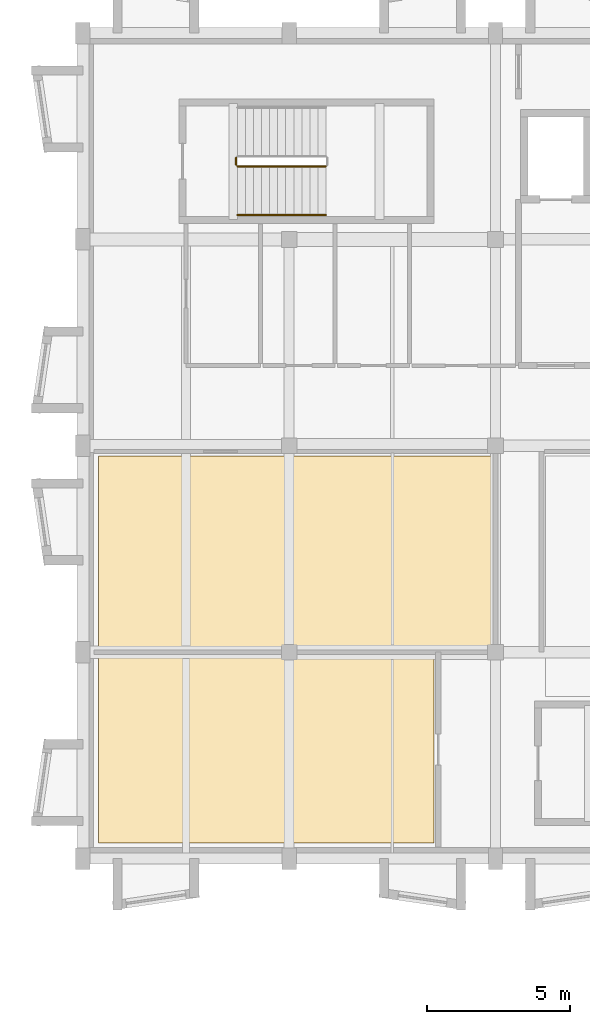
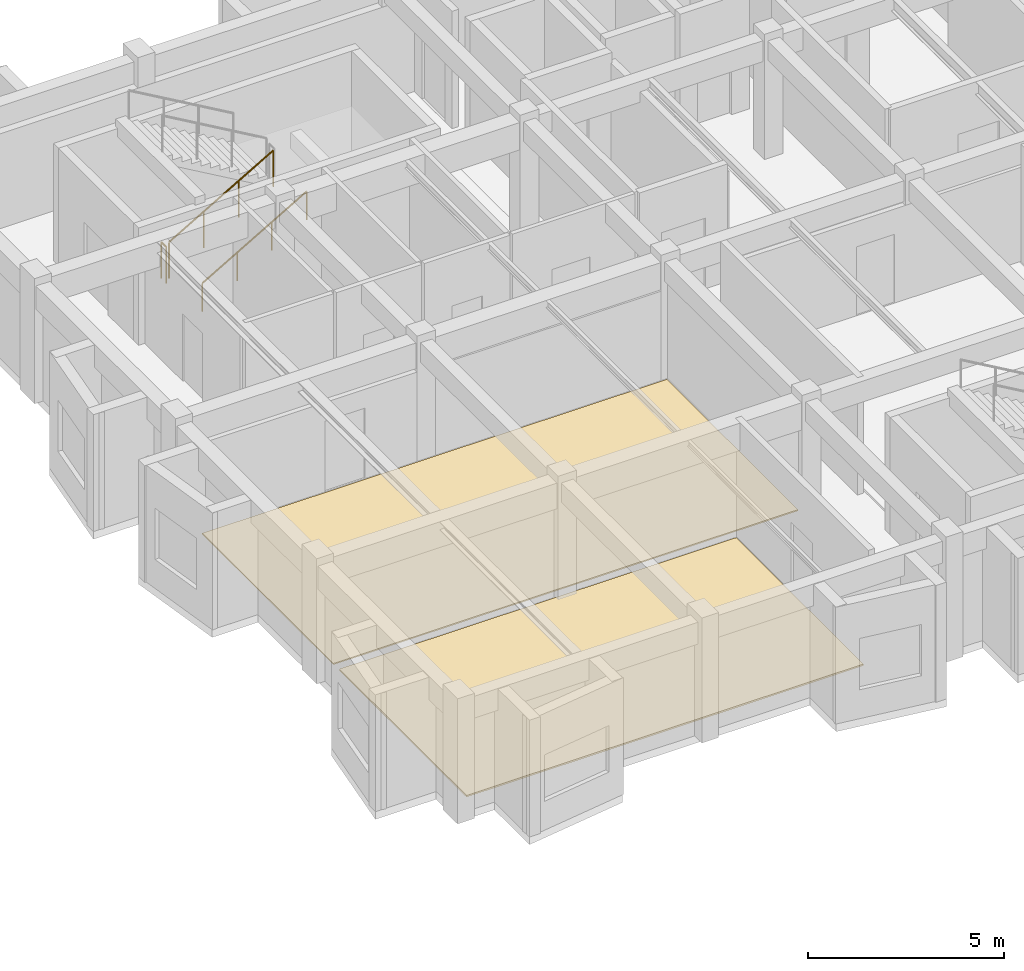
# One storey, part 10 of 12: 3 railings, 2 coverings.
"""IFC4 building model written with IfcOpenShell, lengths in metres."""

from ifc_helpers import new_model, si_unit, direction, frame, origin, origin_2d, place, context, subcontext, project, spatial, polyline, circle, outline, extrude, material, layer, layer_set, type_object, element, save


model = new_model("IFC4")

# Units and contexts
model_context = context("Model", 3, precision=1e-05, world=origin(), true_north=direction((0.0, 1.0)))
body_context = subcontext(model_context, "Body", "Model", "MODEL_VIEW")
ifc_project = project(units=[si_unit("LENGTHUNIT", "METRE"), si_unit("AREAUNIT", "SQUARE_METRE"), si_unit("VOLUMEUNIT", "CUBIC_METRE"), si_unit("PLANEANGLEUNIT", "RADIAN"), si_unit("MASSUNIT", "GRAM", prefix="KILO")], contexts=[model_context])

# Site, building, storey
site_placement = place(None, origin())
site = spatial("IfcSite", under=ifc_project, at=site_placement, CompositionType="ELEMENT")
building_placement = place(site_placement, origin())
building = spatial("IfcBuilding", under=site, at=building_placement, Name="Bramveld Media Centre", CompositionType="ELEMENT")
storey_placement = place(building_placement, frame((0.0, 0.0, 21.89990234375)))
storey = spatial("IfcBuildingStorey", under=building, at=storey_placement, Name="L05", CompositionType="ELEMENT", Elevation=21.89990234375)

# Coverings
ifc_material_1 = material(Name="Honed Belgian bluestone (petit granit) public concourse flooring", Category="masonry")
ifc_layer_1 = layer(ifc_material_1, 0.050048828125)
ifc_layer_set_1 = layer_set([ifc_layer_1], Name="Honed Belgian bluestone (petit granit) public concourse flooring")
covering_type_1 = type_object("IfcCoveringType", Name="COV-FLOOR-02", PredefinedType="FLOORING", material=ifc_layer_set_1)
covering_1_placement = place(storey_placement, origin())
element("IfcCovering", 1, at=covering_1_placement, inside=storey, type_object=covering_type_1, Name="International Cinema Subtitling Studio finish flooring", PredefinedType="FLOORING", context=body_context, shape_type="SweptSolid", body=[
    extrude(outline(polyline([(131.75, 83.75), (143.449951171875, 83.75), (143.449951171875, 90.25), (131.75, 90.25), (131.75, 83.75)])), origin(), (0.0, 0.0, 1.0), 0.050048828125),
])
ifc_material_2 = material(Name="Anti-static acoustic linoleum editing & vault flooring")
ifc_layer_2 = layer(ifc_material_2, 0.0400390625)
ifc_layer_set_2 = layer_set([ifc_layer_2], Name="Anti-static acoustic linoleum editing & vault flooring")
covering_type_2 = type_object("IfcCoveringType", Name="COV-FLOOR-03", PredefinedType="FLOORING", material=ifc_layer_set_2)
covering_2_placement = place(storey_placement, origin())
element("IfcCovering", 2, at=covering_2_placement, inside=storey, type_object=covering_type_2, Name="Festival Directorate & Programming Office finish flooring", PredefinedType="FLOORING", context=body_context, shape_type="SweptSolid", body=[
    extrude(outline(polyline([(131.75, 90.550048828125), (145.449951171875, 90.550048828125), (145.449951171875, 97.25), (131.75, 97.25), (131.75, 90.550048828125)])), origin(), (0.0, 0.0, 1.0), 0.0400390625),
])

# Railings
ifc_material_3 = material(Name="Painted galvanized steel stairwell guardrail", Category="steel")
railing_type_1 = type_object("IfcRailingType", Name="RAIL-STAIR-GUARD-1150", PredefinedType="GUARDRAIL", material=ifc_material_3)
railing_1_placement = place(storey_placement, frame((136.60009765625, 107.35009765625, 0.16259765625)))
element("IfcRailing", 3, at=railing_1_placement, inside=storey, type_object=railing_type_1, Name="L05 ST-01 stair guard 1", PredefinedType="GUARDRAIL", context=body_context, shape_type="SweptSolid", body=[
    extrude(circle(Radius=0.02392578125, at=origin_2d()), frame((0.0, 0.0, 1.1259765625), z_axis=(0.864873446163, 0.0, 0.501989962173), x_axis=(0.0, 1.0, 0.0)), (0.0, 0.0, 1.0), 3.56103515625),
    extrude(circle(Radius=0.02099609375, at=origin_2d()), origin(), (0.0, 0.0, 1.0), 1.101806640625),
    extrude(circle(Radius=0.02099609375, at=origin_2d()), frame((1.026611328125, 0.0, 0.595947265625)), (0.0, 0.0, 1.0), 1.101806640625),
    extrude(circle(Radius=0.02099609375, at=origin_2d()), frame((2.05322265625, 0.0, 1.191650390625)), (0.0, 0.0, 1.0), 1.101806640625),
    extrude(circle(Radius=0.02099609375, at=origin_2d()), frame((3.079833984375, 0.0, 1.78759765625)), (0.0, 0.0, 1.0), 1.101806640625),
])
railing_2_placement = place(storey_placement, frame((136.550048828125, 107.39990234375, 0.0)))
element("IfcRailing", 4, at=railing_2_placement, inside=storey, type_object=railing_type_1, Name="L05 ST-01 stair guard 4", PredefinedType="GUARDRAIL", context=body_context, shape_type="SweptSolid", body=[
    extrude(circle(Radius=0.02392578125, at=origin_2d()), frame((0.0, 0.0, 1.1259765625), z_axis=(0.0, 1.0, 0.0), x_axis=(-1.0, 0.0, 0.0)), (0.0, 0.0, 1.0), 0.25),
    extrude(circle(Radius=0.02099609375, at=origin_2d()), origin(), (0.0, 0.0, 1.0), 1.101806640625),
    extrude(circle(Radius=0.02099609375, at=origin_2d()), frame((0.0, 0.25, 0.0)), (0.0, 0.0, 1.0), 1.101806640625),
])
ifc_material_4 = material(Name="Brushed stainless steel tubular stair handrail", Category="steel")
railing_type_2 = type_object("IfcRailingType", Name="RAIL-STAIR-HAND-0920", PredefinedType="HANDRAIL", material=ifc_material_4)
railing_3_placement = place(storey_placement, frame((136.60009765625, 105.64990234375, 0.16259765625)))
element("IfcRailing", 5, at=railing_3_placement, inside=storey, type_object=railing_type_2, Name="L05 ST-01 stair handrail 1", PredefinedType="HANDRAIL", context=body_context, shape_type="SweptSolid", body=[
    extrude(circle(Radius=0.02392578125, at=origin_2d()), frame((0.0, 0.0, 0.8759765625), z_axis=(0.864873446163, 0.0, 0.501989962173), x_axis=(0.0, 1.0, 0.0)), (0.0, 0.0, 1.0), 3.56103515625),
    extrude(circle(Radius=0.02099609375, at=origin_2d()), origin(), (0.0, 0.0, 1.0), 0.851806640625),
    extrude(circle(Radius=0.02099609375, at=origin_2d()), frame((1.026611328125, 0.0, 0.595947265625)), (0.0, 0.0, 1.0), 0.851806640625),
    extrude(circle(Radius=0.02099609375, at=origin_2d()), frame((2.05322265625, 0.0, 1.191650390625)), (0.0, 0.0, 1.0), 0.851806640625),
    extrude(circle(Radius=0.02099609375, at=origin_2d()), frame((3.079833984375, 0.0, 1.78759765625)), (0.0, 0.0, 1.0), 0.851806640625),
])

save(model, "model.ifc")
